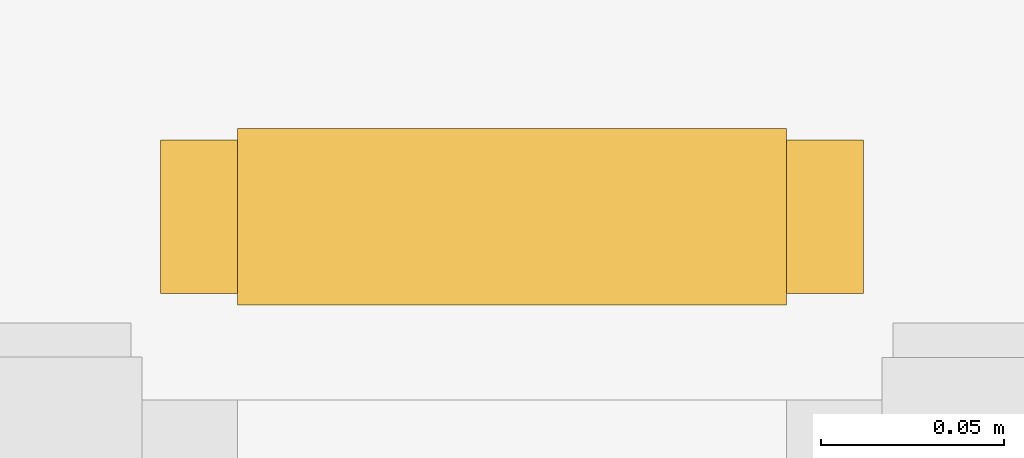
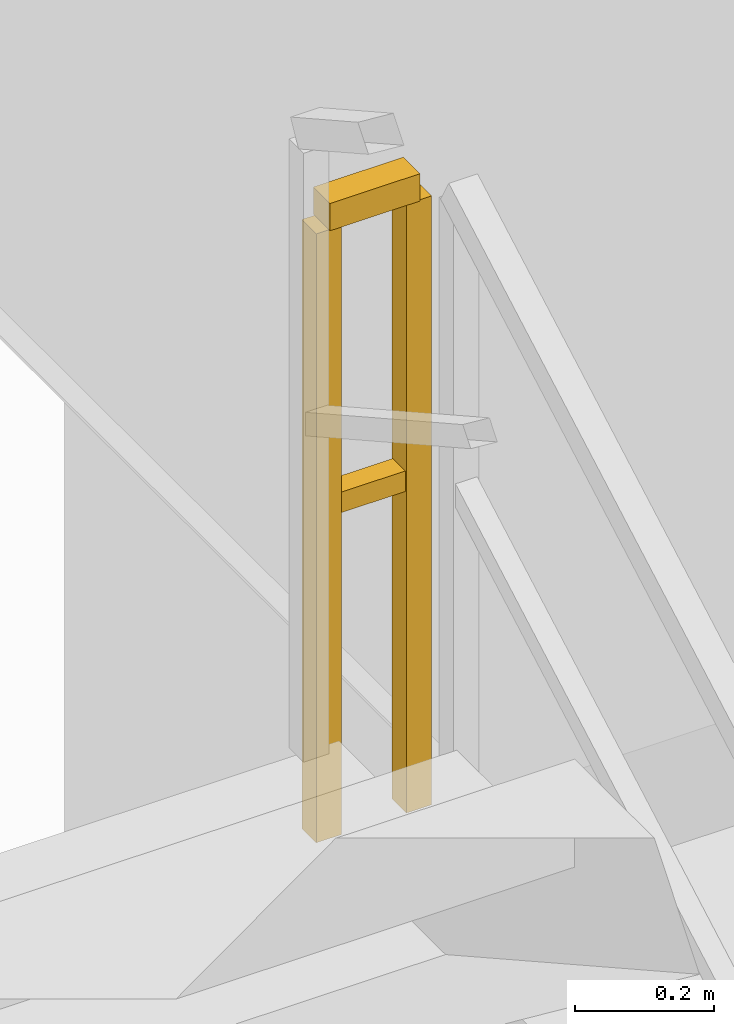
# One storey, part 16 of 16: 1 railing.
"""IFC4 building model written with IfcOpenShell, lengths in metres."""

from ifc_helpers import new_model, si_unit, direction, frame, origin, origin_2d, place, context, subcontext, project, spatial, rectangle, extrude, material, type_object, element, save


model = new_model("IFC4")

# Units and contexts
model_context = context("Model", 3, precision=1e-05, world=origin(), true_north=direction((0.0, 1.0)))
body_context = subcontext(model_context, "Body", "Model", "MODEL_VIEW")
ifc_project = project(units=[si_unit("LENGTHUNIT", "METRE"), si_unit("AREAUNIT", "SQUARE_METRE"), si_unit("VOLUMEUNIT", "CUBIC_METRE"), si_unit("PLANEANGLEUNIT", "RADIAN"), si_unit("MASSUNIT", "GRAM", prefix="KILO")], contexts=[model_context])

# Site, building, storey
site_placement = place(None, origin())
site = spatial("IfcSite", under=ifc_project, at=site_placement, CompositionType="ELEMENT")
building_placement = place(site_placement, origin())
building = spatial("IfcBuilding", under=site, at=building_placement, Name="Zuhayl Quay Hotel", CompositionType="ELEMENT")
storey_placement = place(building_placement, frame((0.0, 0.0, 308.64990234375)))
storey = spatial("IfcBuildingStorey", under=building, at=storey_placement, Name="Crown 4", CompositionType="ELEMENT", Elevation=308.64990234375)

# Railing
ifc_material = material(Name="Steel ASTM A992 Grade 50", Category="steel")
railing_type = type_object("IfcRailingType", Name="RL_GUARD_1100", PredefinedType="GUARDRAIL", material=ifc_material)
railing_placement = place(storey_placement, frame((-0.22998046875, 30.110107421875, 1.900146484375)))
element("IfcRailing", 1, at=railing_placement, inside=storey, type_object=railing_type, Name="Crown 4 ST6 stair guard 2", PredefinedType="GUARDRAIL", context=body_context, shape_type="SweptSolid", body=[
    extrude(rectangle(XDim=0.048095703125, YDim=0.048095703125, at=origin_2d()), frame((0.0, 0.0, 1.09619140625), z_axis=(-1.0, 0.0, 0.0), x_axis=(0.0, -1.0, 0.0)), (0.0, 0.0, 1.0), 0.14990234375),
    extrude(rectangle(XDim=0.0361328125, YDim=0.0361328125, at=origin_2d()), frame((0.0, 0.0, 0.58251953125), z_axis=(-1.0, 0.0, 0.0), x_axis=(0.0, -1.0, 0.0)), (0.0, 0.0, 1.0), 0.14990234375),
    extrude(rectangle(XDim=0.0419921875, YDim=0.0419921875, at=origin_2d()), origin(), (0.0, 0.0, 1.0), 1.072021484375),
    extrude(rectangle(XDim=0.0419921875, YDim=0.0419921875, at=origin_2d()), frame((-0.14990234375, 0.0, 0.0)), (0.0, 0.0, 1.0), 1.072021484375),
])

save(model, "model.ifc")
